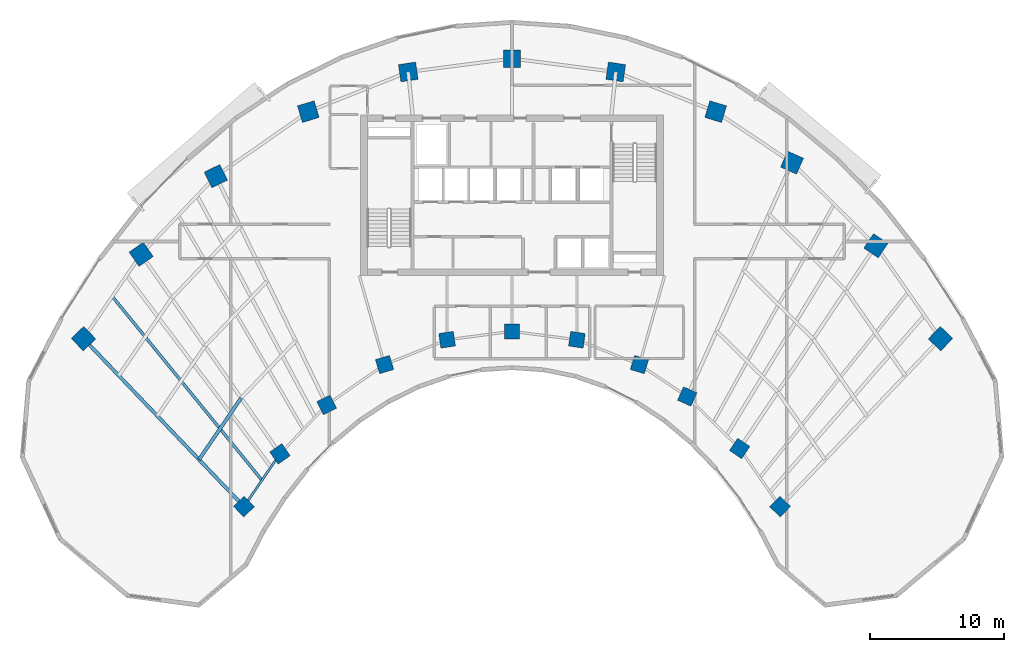
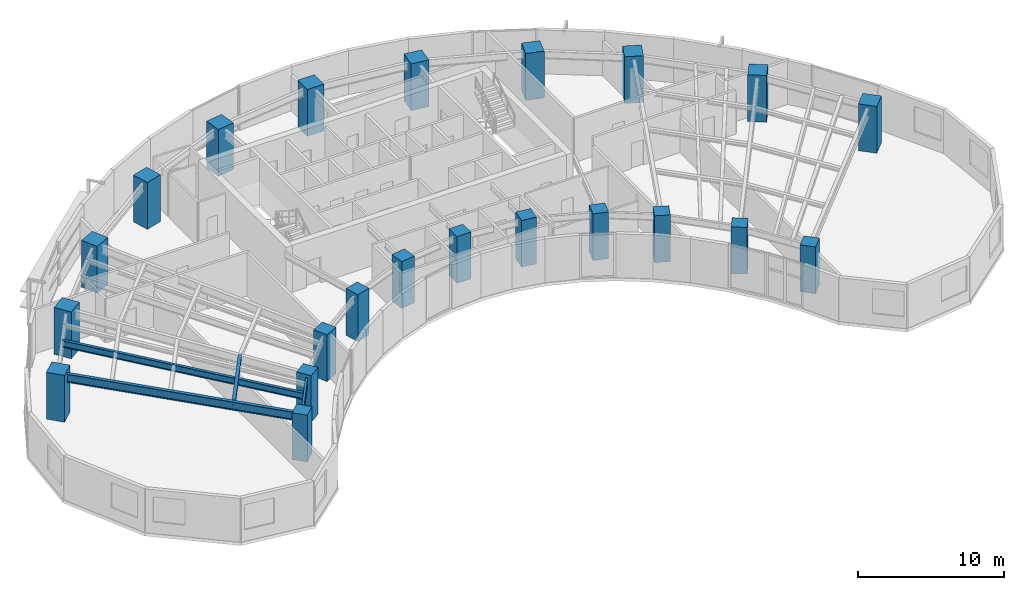
# One storey, part 1 of 13: 22 columns, 4 beams.
"""IFC4 building model written with IfcOpenShell, lengths in metres."""

from ifc_helpers import new_model, si_unit, direction, frame, origin, origin_2d, place, context, subcontext, project, spatial, rectangle, i_section, extrude, source, transform, mapped, material, material_profile, profile_set, type_object, type_shapes, element, save


model = new_model("IFC4")

# Units and contexts
model_context = context("Model", 3, precision=1e-05, world=origin(), true_north=direction((0.0, 1.0)))
body_context = subcontext(model_context, "Body", "Model", "MODEL_VIEW")
ifc_project = project(units=[si_unit("LENGTHUNIT", "METRE"), si_unit("AREAUNIT", "SQUARE_METRE"), si_unit("VOLUMEUNIT", "CUBIC_METRE"), si_unit("PLANEANGLEUNIT", "RADIAN"), si_unit("MASSUNIT", "GRAM", prefix="KILO")], contexts=[model_context])

# Site, building, storey
site_placement = place(None, origin())
site = spatial("IfcSite", under=ifc_project, at=site_placement, CompositionType="ELEMENT")
building_placement = place(site_placement, origin())
building = spatial("IfcBuilding", under=site, at=building_placement, Name="Breltana Convention Tower", CompositionType="ELEMENT")
storey_placement = place(building_placement, frame((0.0, 0.0, 107.699951171875)))
storey = spatial("IfcBuildingStorey", under=building, at=storey_placement, Name="L25", CompositionType="ELEMENT", Elevation=107.699951171875)

# Columns
ifc_material_1 = material(Name="Concrete C60/75", Category="concrete")
ifc_material_profile_1 = material_profile(ifc_material_1, rectangle(XDim=1.10009765625, YDim=1.10009765625, at=origin_2d()), Name="RC-COL-1100X1100")
ifc_profile_set_1 = profile_set([ifc_material_profile_1], Name="Concrete C60/75")
column_type_1 = type_object("IfcColumnType", Name="COL-RC-1100", PredefinedType="COLUMN", material=ifc_profile_set_1)
shared_shape_1 = source(origin(), body_context, "Body", "SweptSolid", [
    extrude(rectangle(XDim=1.10009765625, YDim=1.10009765625, at=origin_2d()), origin(), (0.0, 0.0, 1.0), 3.900146484375),
])
for number, where, z_axis, x_axis, name in (
    (1, (27.984619140625, 42.95458984375, 0.0), (0.0, 0.0, 1.0), (-0.690756218984, 0.723087716626, 0.0), "L25 Tower Column R01-IN"),
    (2, (30.67724609375, 46.892333984375, 0.0), (0.0, 0.0, 1.0), (-0.571143442153, 0.820850271661, 0.0), "L25 Tower Column R02-IN"),
    (3, (34.166259765625, 50.544921875, 0.0), (0.0, 0.0, 1.0), (-0.436173672171, 0.899862504889, 0.0), "L25 Tower Column R03-IN"),
    (4, (38.485107421875, 53.5576171875, 0.0), (0.0, 0.0, 1.0), (-0.288697611798, 0.957420330337, 0.0), "L25 Tower Column R04-IN"),
    (5, (43.153564453125, 55.41064453125, 0.0), (0.0, 0.0, 1.0), (-0.143492621991, 0.98965138682, 0.0), "L25 Tower Column R05-IN"),
    (6, (48.0, 56.035888671875, 0.0), (0.0, 0.0, 1.0), (0.0, 1.0, 0.0), "L25 Tower Column R06-IN"),
    (7, (52.846435546875, 55.41064453125, 0.0), (0.0, 0.0, 1.0), (0.143492621991, 0.98965138682, 0.0), "L25 Tower Column R07-IN"),
    (8, (57.514892578125, 53.5576171875, 0.0), (0.0, 0.0, 1.0), (0.288697611798, 0.957420330337, 0.0), "L25 Tower Column R08-IN"),
    (9, (61.08203125, 51.174560546875, 0.0), (0.0, 0.0, 1.0), (0.409126902895, 0.912477494148, 0.0), "L25 Tower Column R09-IN"),
    (10, (64.995849609375, 47.293701171875, 0.0), (0.0, 0.0, 1.0), (0.55774510898, 0.830012285095, 0.0), "L25 Tower Column R10-IN"),
    (11, (68.015380859375, 42.95458984375, 0.0), (0.0, 0.0, 1.0), (0.690756218984, 0.723087716626, 0.0), "L25 Tower Column R11-IN"),
):
    element("IfcColumn", number, at=place(storey_placement, frame(where, z_axis=z_axis, x_axis=x_axis)), inside=storey, type_object=column_type_1, Name=name, PredefinedType="COLUMN", context=body_context, shape_type="MappedRepresentation", body=[
        mapped(shared_shape_1, transform((0.0, 0.0, 0.0), scale=1.0)),
    ])
ifc_material_profile_2 = material_profile(ifc_material_1, rectangle(XDim=1.300048828125, YDim=1.300048828125, at=origin_2d()), Name="RC-COL-1300X1300")
ifc_profile_set_2 = profile_set([ifc_material_profile_2], Name="Concrete C60/75")
column_type_2 = type_object("IfcColumnType", Name="COL-RC-1300", PredefinedType="COLUMN", material=ifc_profile_set_2)
shared_shape_2 = source(origin(), body_context, "Body", "SweptSolid", [
    extrude(rectangle(XDim=1.300048828125, YDim=1.300048828125, at=origin_2d()), origin(), (0.0, 0.0, 1.0), 3.900146484375),
])
for number, where, z_axis, x_axis, name in (
    (12, (16.0068359375, 55.494384765625, 0.0), (0.0, 0.0, 1.0), (-0.690756218984, 0.723087716626, 0.0), "L25 Tower Column R01-OUT"),
    (13, (20.310791015625, 61.78857421875, 0.0), (0.0, 0.0, 1.0), (-0.571143442153, 0.820850271661, 0.0), "L25 Tower Column R02-OUT"),
    (14, (25.8876953125, 67.626953125, 0.0), (0.0, 0.0, 1.0), (-0.436173672171, 0.899862504889, 0.0), "L25 Tower Column R03-OUT"),
    (15, (32.791015625, 72.4423828125, 0.0), (0.0, 0.0, 1.0), (-0.288697611798, 0.957420330337, 0.0), "L25 Tower Column R04-OUT"),
    (16, (40.253173828125, 75.404296875, 0.0), (0.0, 0.0, 1.0), (-0.143492621991, 0.98965138682, 0.0), "L25 Tower Column R05-OUT"),
    (17, (48.0, 76.404052734375, 0.0), (0.0, 0.0, 1.0), (0.0, 1.0, 0.0), "L25 Tower Column R06-OUT"),
    (18, (55.746826171875, 75.404296875, 0.0), (0.0, 0.0, 1.0), (0.143492621991, 0.98965138682, 0.0), "L25 Tower Column R07-OUT"),
    (19, (63.208984375, 72.4423828125, 0.0), (0.0, 0.0, 1.0), (0.288697611798, 0.957420330337, 0.0), "L25 Tower Column R08-OUT"),
    (20, (68.910400390625, 68.63330078125, 0.0), (0.0, 0.0, 1.0), (0.409126902895, 0.912477494148, 0.0), "L25 Tower Column R09-OUT"),
    (21, (75.166748046875, 62.43017578125, 0.0), (0.0, 0.0, 1.0), (0.55774510898, 0.830012285095, 0.0), "L25 Tower Column R10-OUT"),
    (22, (79.9931640625, 55.494384765625, 0.0), (0.0, 0.0, 1.0), (0.690756218984, 0.723087716626, 0.0), "L25 Tower Column R11-OUT"),
):
    element("IfcColumn", number, at=place(storey_placement, frame(where, z_axis=z_axis, x_axis=x_axis)), inside=storey, type_object=column_type_2, Name=name, PredefinedType="COLUMN", context=body_context, shape_type="MappedRepresentation", body=[
        mapped(shared_shape_2, transform((0.0, 0.0, 0.0), scale=1.0)),
    ])

# Beams
ifc_material_2 = material(Name="Steel ASTM A992 Grade 50", Category="steel")
ifc_material_profile_3 = material_profile(ifc_material_2, i_section(OverallWidth=0.25390625, OverallDepth=0.68798828125, WebThickness=0.01318359375, FlangeThickness=0.02099609375, at=origin_2d()), Name="W27X102")
ifc_profile_set_3 = profile_set([ifc_material_profile_3], Name="Steel ASTM A992 Grade 50")
beam_type_1 = type_object("IfcBeamType", Name="BM-RG-W27X102", PredefinedType="USERDEFINED", material=ifc_profile_set_3)
shared_shape_3 = source(origin(), body_context, "Body", "SweptSolid", [
    extrude(i_section(OverallWidth=0.25390625, OverallDepth=0.68798828125, WebThickness=0.01318359375, FlangeThickness=0.02099609375, at=origin_2d()), origin(), (0.0, 0.0, 1.0), 17.341064453125),
])
type_shapes(beam_type_1, [shared_shape_3])
beam_1_placement = place(storey_placement, frame((27.984619140625, 42.95458984375, 3.30615234375), z_axis=(-0.690716462293, 0.723125693581, 0.0), x_axis=(-0.723125693581, -0.690716462293, 0.0)))
element("IfcBeam", 23, at=beam_1_placement, inside=storey, type_object=beam_type_1, Name="L25 Radial Floor Girder R01", ObjectType="GIRDER", PredefinedType="USERDEFINED", context=body_context, shape_type="MappedRepresentation", body=[
    mapped(shared_shape_3, transform((0.0, 0.0, 0.0), scale=1.0)),
])
ifc_material_profile_4 = material_profile(ifc_material_2, i_section(OverallWidth=0.166015625, OverallDepth=0.534912109375, WebThickness=0.01025390625, FlangeThickness=0.0166015625, at=origin_2d()), Name="W21X57")
ifc_profile_set_4 = profile_set([ifc_material_profile_4], Name="Steel ASTM A992 Grade 50")
beam_type_2 = type_object("IfcBeamType", Name="BM-BM-W21X57", PredefinedType="BEAM", material=ifc_profile_set_4)
shared_shape_4 = source(origin(), body_context, "Body", "SweptSolid", [
    extrude(i_section(OverallWidth=0.166015625, OverallDepth=0.534912109375, WebThickness=0.01025390625, FlangeThickness=0.0166015625, at=origin_2d()), origin(), (0.0, 0.0, 1.0), 4.770263671875),
])
beam_2_placement = place(storey_placement, frame((27.984619140625, 42.95458984375, 3.382568359375), z_axis=(0.564452719055, 0.82546540082, 0.0), x_axis=(-0.82546540082, 0.564452719055, 0.0)))
element("IfcBeam", 24, at=beam_2_placement, inside=storey, type_object=beam_type_2, Name="L25 Inner Ring Beam 01", PredefinedType="BEAM", context=body_context, shape_type="MappedRepresentation", body=[
    mapped(shared_shape_4, transform((0.0, 0.0, 0.0), scale=1.0)),
])
ifc_material_profile_5 = material_profile(ifc_material_2, i_section(OverallWidth=0.25390625, OverallDepth=0.305908203125, WebThickness=0.0087890625, FlangeThickness=0.0146484375, at=origin_2d()), Name="W12X53")
ifc_profile_set_5 = profile_set([ifc_material_profile_5], Name="Steel ASTM A992 Grade 50")
beam_type_3 = type_object("IfcBeamType", Name="BM-JSG-10", PredefinedType="JOIST", material=ifc_profile_set_5)
shared_shape_5 = source(origin(), body_context, "Body", "SweptSolid", [
    extrude(i_section(OverallWidth=0.25390625, OverallDepth=0.305908203125, WebThickness=0.0087890625, FlangeThickness=0.0146484375, at=origin_2d()), origin(), (0.0, 0.0, 1.0), 5.569580078125),
])
beam_3_placement = place(storey_placement, frame((24.630615234375, 46.4658203125, 3.4970703125), z_axis=(0.564493760458, 0.825437335237, 0.0), x_axis=(-0.825437335237, 0.564493760458, 0.0)))
element("IfcBeam", 25, at=beam_3_placement, inside=storey, type_object=beam_type_3, Name="L25 Composite Floor Joist 01.1", PredefinedType="JOIST", context=body_context, shape_type="MappedRepresentation", body=[
    mapped(shared_shape_5, transform((0.0, 0.0, 0.0), scale=1.0)),
])
ifc_material_profile_6 = material_profile(ifc_material_2, i_section(OverallWidth=0.214111328125, OverallDepth=0.549072265625, WebThickness=0.0146484375, FlangeThickness=0.023681640625, at=origin_2d()), Name="W21X93")
ifc_profile_set_6 = profile_set([ifc_material_profile_6], Name="Steel ASTM A992 Grade 50")
beam_type_4 = type_object("IfcBeamType", Name="BM-JSG-03", PredefinedType="JOIST", material=ifc_profile_set_6)
shared_shape_6 = source(origin(), body_context, "Body", "SweptSolid", [
    extrude(i_section(OverallWidth=0.214111328125, OverallDepth=0.549072265625, WebThickness=0.0146484375, FlangeThickness=0.023681640625, at=origin_2d()), origin(), (0.0, 0.0, 1.0), 17.691650390625),
])
beam_4_placement = place(storey_placement, frame((29.330810546875, 44.923583984375, 3.37548828125), z_axis=(-0.631476958478, 0.775394642044, 0.0), x_axis=(-0.775394642044, -0.631476958478, 0.0)))
element("IfcBeam", 26, at=beam_4_placement, inside=storey, type_object=beam_type_4, Name="L25 Mid-Bay Radial Trimmer 01", PredefinedType="JOIST", context=body_context, shape_type="MappedRepresentation", body=[
    mapped(shared_shape_6, transform((0.0, 0.0, 0.0), scale=1.0)),
])

save(model, "model.ifc")
